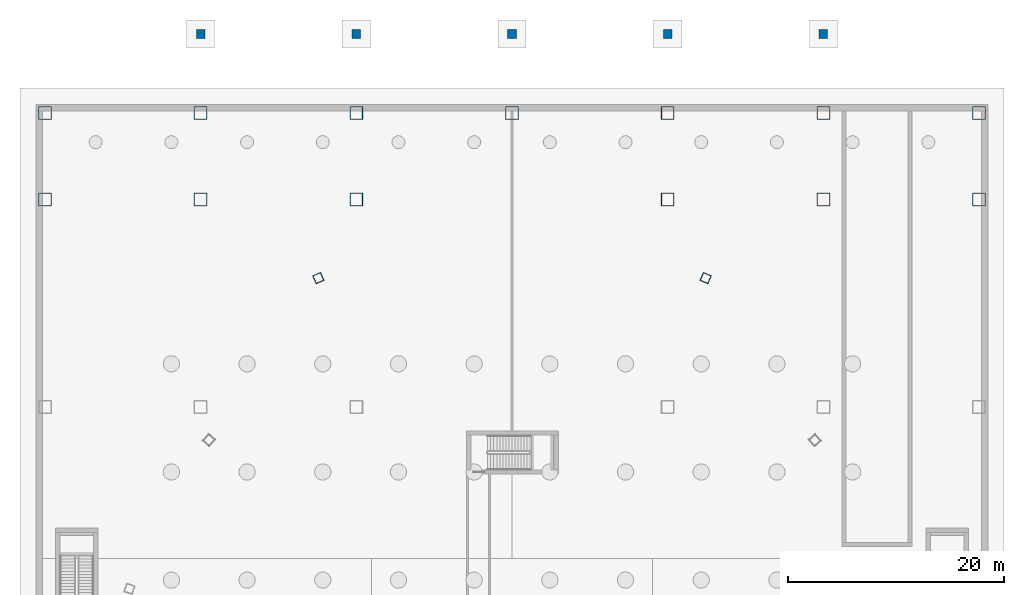
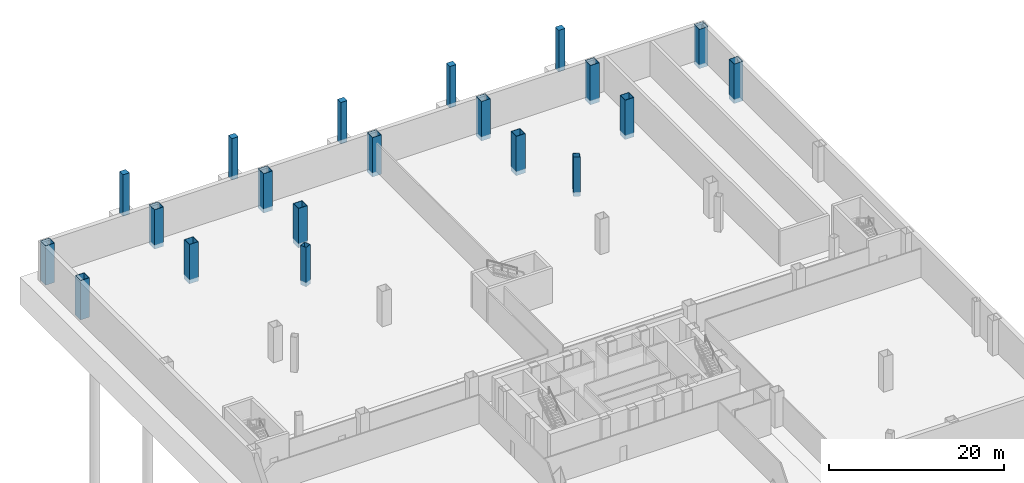
# One storey, part 3 of 15: 20 columns.
"""IFC4 building model written with IfcOpenShell, lengths in metres."""

from ifc_helpers import new_model, si_unit, direction, frame, origin, origin_2d, place, context, subcontext, project, spatial, rectangle, hollow_rectangle, extrude, source, transform, mapped, material, material_profile, profile_set, type_object, element, save


model = new_model("IFC4")

# Units and contexts
model_context = context("Model", 3, precision=1e-05, world=origin(), true_north=direction((0.0, 1.0)))
body_context = subcontext(model_context, "Body", "Model", "MODEL_VIEW")
ifc_project = project(units=[si_unit("LENGTHUNIT", "METRE"), si_unit("AREAUNIT", "SQUARE_METRE"), si_unit("VOLUMEUNIT", "CUBIC_METRE"), si_unit("PLANEANGLEUNIT", "RADIAN"), si_unit("MASSUNIT", "GRAM", prefix="KILO"), si_unit("THERMODYNAMICTEMPERATUREUNIT", "KELVIN"), si_unit("POWERUNIT", "WATT")], contexts=[model_context])

# Site, building, storey
site_placement = place(None, origin())
site = spatial("IfcSite", under=ifc_project, at=site_placement, CompositionType="ELEMENT")
building_placement = place(site_placement, origin())
building = spatial("IfcBuilding", under=site, at=building_placement, Name="Yunzhuo Pagoda Commons", CompositionType="ELEMENT")
storey_placement = place(building_placement, frame((0.0, 0.0, -10.0)))
storey = spatial("IfcBuildingStorey", under=building, at=storey_placement, Name="B02", CompositionType="ELEMENT", Elevation=-10.0)

# Columns
ifc_material_1 = material(Name="Structural steel Q420B", Category="steel")
ifc_material_profile_1 = material_profile(ifc_material_1, hollow_rectangle(XDim=1.199951171875, YDim=1.199951171875, WallThickness=0.050048828125, at=origin_2d()), Name="Structural steel Q420B")
ifc_profile_set_1 = profile_set([ifc_material_profile_1], Name="Structural steel Q420B")
column_type_1 = type_object("IfcColumnType", Name="C-POD Column BOX 1200x1200x50", PredefinedType="COLUMN", material=ifc_profile_set_1)
shared_shape_1 = source(origin(), body_context, "Body", "SweptSolid", [
    extrude(hollow_rectangle(XDim=1.199951171875, YDim=1.199951171875, WallThickness=0.050048828125, at=origin_2d()), origin(), (0.0, 0.0, 1.0), 5.5),
])
for number, where, z_axis, x_axis, name in (
    (1, (4.800048828125, 81.199951171875, -0.60009765625), (0.0, 0.0, 1.0), (1.0, 0.0, 0.0), "B02 podium column P1_5"),
    (2, (19.199951171875, 81.199951171875, -0.60009765625), (0.0, 0.0, 1.0), (1.0, 0.0, 0.0), "B02 podium column P2_5"),
    (3, (33.60009765625, 81.199951171875, -0.60009765625), (0.0, 0.0, 1.0), (1.0, 0.0, 0.0), "B02 podium column P3_5"),
    (4, (62.39990234375, 81.199951171875, -0.60009765625), (0.0, 0.0, 1.0), (1.0, 0.0, 0.0), "B02 podium column P4_5"),
    (5, (76.800048828125, 81.199951171875, -0.60009765625), (0.0, 0.0, 1.0), (1.0, 0.0, 0.0), "B02 podium column P5_5"),
    (6, (91.199951171875, 81.199951171875, -0.60009765625), (0.0, 0.0, 1.0), (1.0, 0.0, 0.0), "B02 podium column P6_5"),
    (7, (4.800048828125, 89.199951171875, -0.60009765625), (0.0, 0.0, 1.0), (1.0, 0.0, 0.0), "B02 north riverfront column NR1"),
    (8, (19.199951171875, 89.199951171875, -0.60009765625), (0.0, 0.0, 1.0), (1.0, 0.0, 0.0), "B02 north riverfront column NR2"),
    (9, (33.60009765625, 89.199951171875, -0.60009765625), (0.0, 0.0, 1.0), (1.0, 0.0, 0.0), "B02 north riverfront column NR3"),
    (10, (48.0, 89.199951171875, -0.60009765625), (0.0, 0.0, 1.0), (1.0, 0.0, 0.0), "B02 north riverfront column NR4"),
    (11, (62.39990234375, 89.199951171875, -0.60009765625), (0.0, 0.0, 1.0), (1.0, 0.0, 0.0), "B02 north riverfront column NR5"),
    (12, (76.800048828125, 89.199951171875, -0.60009765625), (0.0, 0.0, 1.0), (1.0, 0.0, 0.0), "B02 north riverfront column NR6"),
    (13, (91.199951171875, 89.199951171875, -0.60009765625), (0.0, 0.0, 1.0), (1.0, 0.0, 0.0), "B02 north riverfront column NR7"),
):
    element("IfcColumn", number, at=place(storey_placement, frame(where, z_axis=z_axis, x_axis=x_axis)), inside=storey, type_object=column_type_1, Name=name, PredefinedType="COLUMN", context=body_context, shape_type="MappedRepresentation", body=[
        mapped(shared_shape_1, transform((0.0, 0.0, 0.0), scale=1.0)),
    ])
ifc_material_profile_2 = material_profile(ifc_material_1, hollow_rectangle(XDim=0.800048828125, YDim=0.800048828125, WallThickness=0.031982421875, at=origin_2d()), Name="Structural steel Q420B")
ifc_profile_set_2 = profile_set([ifc_material_profile_2], Name="Structural steel Q420B")
column_type_2 = type_object("IfcColumnType", Name="C-BUT Column BOX 800x800x32", PredefinedType="COLUMN", material=ifc_profile_set_2)
shared_shape_2 = source(origin(), body_context, "Body", "SweptSolid", [
    extrude(hollow_rectangle(XDim=0.800048828125, YDim=0.800048828125, WallThickness=0.031982421875, at=origin_2d()), origin(), (0.0, 0.0, 1.0), 5.5),
])
for number, where, z_axis, x_axis, name in (
    (14, (65.91259765625, 73.931884765625, -0.60009765625), (0.0, 0.0, 1.0), (-0.913545457643, 0.406736643076, 0.0), "B02 podium transfer support column PR_F2C4"),
    (15, (30.087890625, 73.931884765625, -0.60009765625), (0.0, 0.0, 1.0), (-0.913545457643, -0.406736643076, 0.0), "B02 podium transfer support column PR_F3C1"),
):
    element("IfcColumn", number, at=place(storey_placement, frame(where, z_axis=z_axis, x_axis=x_axis)), inside=storey, type_object=column_type_2, Name=name, PredefinedType="COLUMN", context=body_context, shape_type="MappedRepresentation", body=[
        mapped(shared_shape_2, transform((0.0, 0.0, 0.0), scale=1.0)),
    ])
ifc_material_2 = material(Name="Concrete C50", Category="concrete")
ifc_material_profile_3 = material_profile(ifc_material_2, rectangle(XDim=0.800048828125, YDim=0.800048828125, at=origin_2d()), Name="Concrete C50")
ifc_profile_set_3 = profile_set([ifc_material_profile_3], Name="Concrete C50")
column_type_3 = type_object("IfcColumnType", Name="C-PIL2 Pilaster RC 800x800", PredefinedType="PILASTER", material=ifc_profile_set_3)
shared_shape_3 = source(origin(), body_context, "Body", "SweptSolid", [
    extrude(rectangle(XDim=0.800048828125, YDim=0.800048828125, at=origin_2d()), origin(), (0.0, 0.0, 1.0), 5.800048828125),
])
for number, where, z_axis, x_axis, name in (
    (16, (19.199951171875, 96.5, -0.60009765625), (0.0, 0.0, 1.0), (1.0, 0.0, 0.0), "Canopy foundation pier B02 N1"),
    (17, (33.60009765625, 96.5, -0.60009765625), (0.0, 0.0, 1.0), (1.0, 0.0, 0.0), "Canopy foundation pier B02 N2"),
    (18, (48.0, 96.5, -0.60009765625), (0.0, 0.0, 1.0), (1.0, 0.0, 0.0), "Canopy foundation pier B02 N3"),
    (19, (62.39990234375, 96.5, -0.60009765625), (0.0, 0.0, 1.0), (1.0, 0.0, 0.0), "Canopy foundation pier B02 N4"),
    (20, (76.800048828125, 96.5, -0.60009765625), (0.0, 0.0, 1.0), (1.0, 0.0, 0.0), "Canopy foundation pier B02 N5"),
):
    element("IfcColumn", number, at=place(storey_placement, frame(where, z_axis=z_axis, x_axis=x_axis)), inside=storey, type_object=column_type_3, Name=name, PredefinedType="PILASTER", context=body_context, shape_type="MappedRepresentation", body=[
        mapped(shared_shape_3, transform((0.0, 0.0, 0.0), scale=1.0)),
    ])

save(model, "model.ifc")
